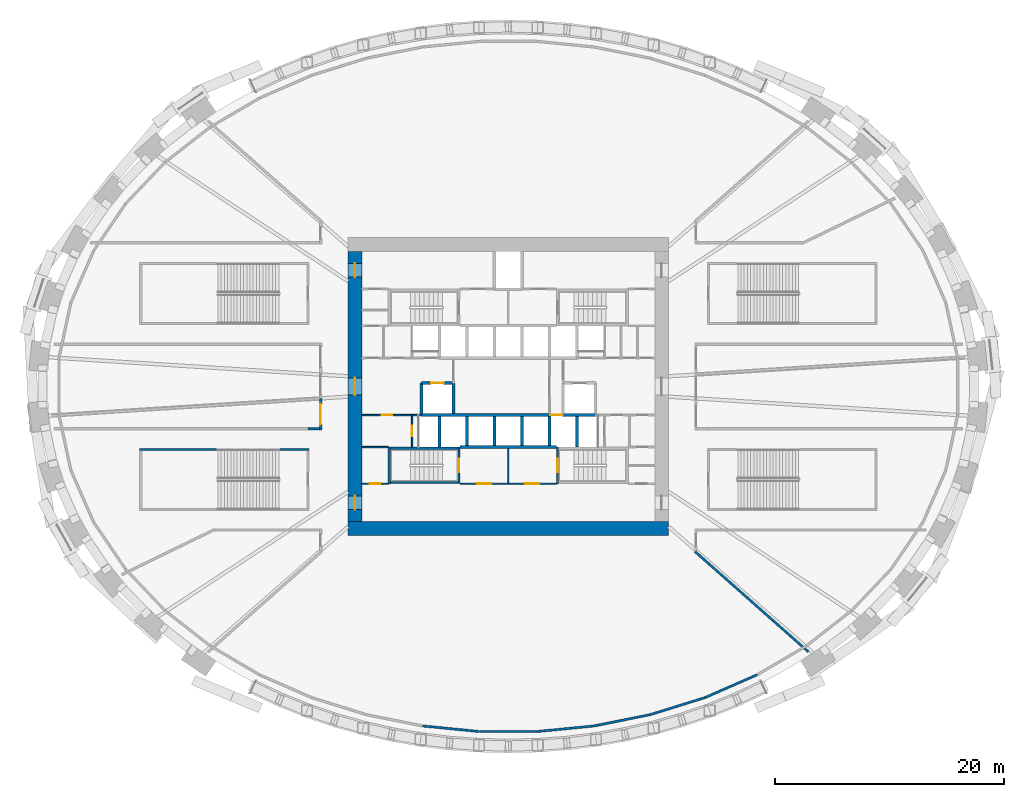
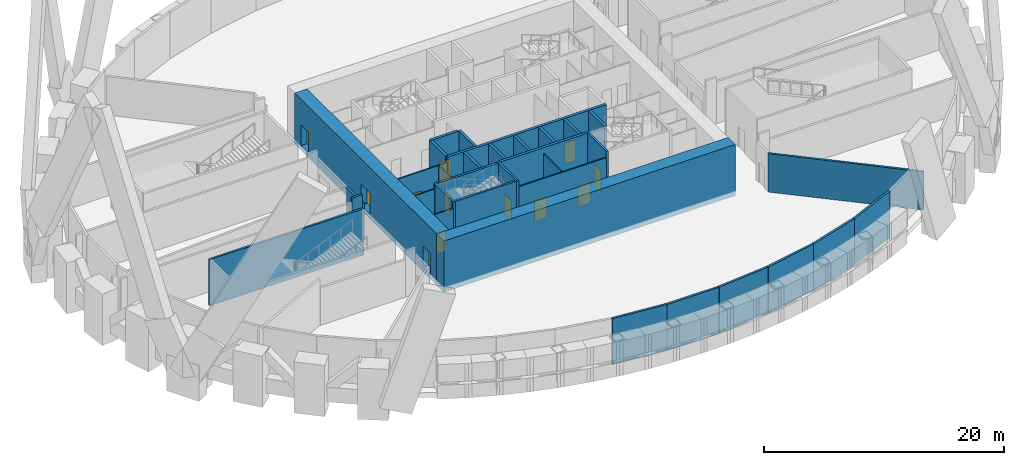
# One storey, part 7 of 16: 34 walls, 13 doors, 13 openings.
"""IFC4 building model written with IfcOpenShell, lengths in metres."""

from ifc_helpers import new_model, si_unit, direction, frame, frame_2d, origin, place, context, subcontext, project, spatial, rectangle, extrude, source, transform, mapped, material, layer, layer_set, type_object, element, fill, save


model = new_model("IFC4")

# Units and contexts
model_context = context("Model", 3, precision=1e-05, world=origin(), true_north=direction((0.0, 1.0)))
body_context = subcontext(model_context, "Body", "Model", "MODEL_VIEW")
ifc_project = project(units=[si_unit("LENGTHUNIT", "METRE"), si_unit("AREAUNIT", "SQUARE_METRE"), si_unit("VOLUMEUNIT", "CUBIC_METRE"), si_unit("PLANEANGLEUNIT", "RADIAN"), si_unit("MASSUNIT", "GRAM", prefix="KILO")], contexts=[model_context])

# Site, building, storey
site_placement = place(None, origin())
site = spatial("IfcSite", under=ifc_project, at=site_placement, CompositionType="ELEMENT")
building_placement = place(site_placement, origin())
building = spatial("IfcBuilding", under=site, at=building_placement, Name="Embergate Tower", CompositionType="ELEMENT")
storey_placement = place(building_placement, frame((0.0, 0.0, 24.0)))
storey = spatial("IfcBuildingStorey", under=building, at=storey_placement, Name="L02", CompositionType="ELEMENT", Elevation=24.0)

# Wall
ifc_material_1 = material(Name="Concrete C80", Category="concrete")
ifc_layer_1 = layer(ifc_material_1, 1.199951171875)
ifc_layer_set_1 = layer_set([ifc_layer_1], Name="Concrete C80")
wall_type_1 = type_object("IfcWallType", Name="Core outer wall C80 1200", PredefinedType="SHEAR", material=ifc_layer_set_1)
shared_shape_1 = source(origin(), body_context, "Body", "SweptSolid", [
    extrude(rectangle(XDim=28.0, YDim=1.199951171875, at=frame_2d((14.0, 0.0))), origin(), (0.0, 0.0, 1.0), 5.199951171875),
])
wall_1_placement = place(storey_placement, frame((-14.0, -12.39990234375, -0.5), z_axis=(0.0, 0.0, 1.0), x_axis=(1.0, 0.0, 0.0)))
element("IfcWall", 1, at=wall_1_placement, inside=storey, type_object=wall_type_1, Name="CW-L02-S", PredefinedType="SHEAR", context=body_context, shape_type="MappedRepresentation", body=[
    mapped(shared_shape_1, transform((0.0, 0.0, 0.0))),
])

# Wall, openings, doors
shared_shape_2 = source(origin(), body_context, "Body", "SweptSolid", [
    extrude(rectangle(XDim=23.60009765625, YDim=1.199951171875, at=frame_2d((11.800048828125, 0.0))), origin(), (0.0, 0.0, 1.0), 5.199951171875),
])
wall_2_placement = place(storey_placement, frame((-13.39990234375, -11.800048828125, -0.5), z_axis=(0.0, 0.0, 1.0), x_axis=(0.0, 1.0, 0.0)))
wall_2 = element("IfcWall", 2, at=wall_2_placement, inside=storey, type_object=wall_type_1, Name="CW-L02-W", PredefinedType="SHEAR", context=body_context, shape_type="MappedRepresentation", body=[
    mapped(shared_shape_2, transform((0.0, 0.0, 0.0))),
])
shared_shape_3 = source(origin(), body_context, "Body", "SweptSolid", [
    extrude(rectangle(XDim=1.199951171875, YDim=2.10009765625, at=frame_2d((0.60009765625, 1.050048828125))), frame((0.0, 0.60986328125, 0.0), z_axis=(0.0, -1.0, 0.0), x_axis=(1.0, 0.0, 0.0)), (0.0, 0.0, 1.0), 1.219970703125),
])
opening_1_placement = place(wall_2_placement, frame((21.35009765625, 0.0, 0.5)))
opening_1 = element("IfcOpeningElement", 3, at=opening_1_placement, cuts=wall_2, Name="Opening IF-1", PredefinedType="OPENING", context=body_context, shape_type="MappedRepresentation", body=[
    mapped(shared_shape_3, transform((0.0, 0.0, 0.0))),
])
opening_2_placement = place(wall_2_placement, frame((1.050048828125, 0.0, 0.5)))
opening_2 = element("IfcOpeningElement", 4, at=opening_2_placement, cuts=wall_2, Name="Opening IF-1", PredefinedType="OPENING", context=body_context, shape_type="MappedRepresentation", body=[
    mapped(shared_shape_3, transform((0.0, 0.0, 0.0))),
])
shared_shape_4 = source(origin(), body_context, "Body", "SweptSolid", [
    extrude(rectangle(XDim=1.5, YDim=2.10009765625, at=frame_2d((0.75, 1.050048828125))), frame((0.0, 0.60986328125, 0.0), z_axis=(0.0, -1.0, 0.0), x_axis=(1.0, 0.0, 0.0)), (0.0, 0.0, 1.0), 1.219970703125),
])
opening_3_placement = place(wall_2_placement, frame((11.050048828125, 0.0, 0.5)))
opening_3 = element("IfcOpeningElement", 5, at=opening_3_placement, cuts=wall_2, Name="Opening IF-3", PredefinedType="OPENING", context=body_context, shape_type="MappedRepresentation", body=[
    mapped(shared_shape_4, transform((0.0, 0.0, 0.0))),
])
ifc_material_2 = material(Name="Escape fire door 1200")
door_type_1 = type_object("IfcDoorType", Name="Escape fire door 1200", OperationType="SINGLE_SWING_LEFT", PredefinedType="DOOR", material=ifc_material_2)
shared_shape_5 = source(origin(), body_context, "Body", "SweptSolid", [
    extrude(rectangle(XDim=1.199951171875, YDim=2.10009765625, at=frame_2d((0.60009765625, 1.050048828125))), frame((0.0, 0.02490234375, 0.0), z_axis=(0.0, -1.0, 0.0), x_axis=(1.0, 0.0, 0.0)), (0.0, 0.0, 1.0), 0.050048828125),
])
door_1_placement = place(opening_1_placement, origin())
door_1 = element("IfcDoor", 6, at=door_1_placement, inside=storey, type_object=door_type_1, Name="IF-1 door", OperationType="SINGLE_SWING_LEFT", OverallHeight=2.10009765625, OverallWidth=1.199951171875, PredefinedType="DOOR", context=body_context, shape_type="MappedRepresentation", body=[
    mapped(shared_shape_5, transform((0.0, 0.0, 0.0))),
])
fill(opening_1, door_1)
door_2_placement = place(opening_2_placement, origin())
door_2 = element("IfcDoor", 7, at=door_2_placement, inside=storey, type_object=door_type_1, Name="IF-1 door", OperationType="SINGLE_SWING_RIGHT", OverallHeight=2.10009765625, OverallWidth=1.199951171875, PredefinedType="DOOR", context=body_context, shape_type="MappedRepresentation", body=[
    mapped(shared_shape_5, transform((0.0, 0.0, 0.0))),
])
fill(opening_2, door_2)
ifc_material_3 = material(Name="Lobby fire door pair 1500")
door_type_2 = type_object("IfcDoorType", Name="Lobby fire door pair 1500", OperationType="DOUBLE_DOOR_SINGLE_SWING", PredefinedType="DOOR", material=ifc_material_3)
shared_shape_6 = source(origin(), body_context, "Body", "SweptSolid", [
    extrude(rectangle(XDim=1.5, YDim=2.10009765625, at=frame_2d((0.75, 1.050048828125))), frame((0.0, 0.02490234375, 0.0), z_axis=(0.0, -1.0, 0.0), x_axis=(1.0, 0.0, 0.0)), (0.0, 0.0, 1.0), 0.050048828125),
])
door_3_placement = place(opening_3_placement, origin())
door_3 = element("IfcDoor", 8, at=door_3_placement, inside=storey, type_object=door_type_2, Name="IF-3 door", OperationType="DOUBLE_DOOR_SINGLE_SWING", OverallHeight=2.10009765625, OverallWidth=1.5, PredefinedType="DOOR", context=body_context, shape_type="MappedRepresentation", body=[
    mapped(shared_shape_6, transform((0.0, 0.0, 0.0))),
])
fill(opening_3, door_3)

# Walls
ifc_material_4 = material(Name="Terracotta louvre cladding on insulated backing", Category="masonry")
ifc_layer_2 = layer(ifc_material_4, 0.199951171875)
ifc_layer_set_2 = layer_set([ifc_layer_2], Name="Terracotta louvre cladding on insulated backing")
wall_type_2 = type_object("IfcWallType", Name="Terracotta louvre wall", PredefinedType="SOLIDWALL", material=ifc_layer_set_2)
shared_shape_7 = source(origin(), body_context, "Body", "SweptSolid", [
    extrude(rectangle(XDim=4.97998046875, YDim=0.199951171875, at=frame_2d((2.489990234375, 0.0))), origin(), (0.0, 0.0, 1.0), 4.699951171875),
])
wall_3_placement = place(storey_placement, frame((21.744140625, -25.190673828125, 0.0), z_axis=(0.0, 0.0, 1.0), x_axis=(-0.916245072647, -0.400618230801, 0.0)))
element("IfcWall", 9, at=wall_3_placement, inside=storey, type_object=wall_type_2, Name="Louvre wall 37", PredefinedType="SOLIDWALL", context=body_context, shape_type="MappedRepresentation", body=[
    mapped(shared_shape_7, transform((0.0, 0.0, 0.0))),
])
shared_shape_8 = source(origin(), body_context, "Body", "SweptSolid", [
    extrude(rectangle(XDim=4.9833984375, YDim=0.199951171875, at=frame_2d((2.49169921875, 0.0))), origin(), (0.0, 0.0, 1.0), 4.699951171875),
])
wall_4_placement = place(storey_placement, frame((17.162353515625, -27.19287109375, 0.0), z_axis=(0.0, 0.0, 1.0), x_axis=(-0.954762851693, -0.297368285175, 0.0)))
element("IfcWall", 10, at=wall_4_placement, inside=storey, type_object=wall_type_2, Name="Louvre wall 36", PredefinedType="SOLIDWALL", context=body_context, shape_type="MappedRepresentation", body=[
    mapped(shared_shape_8, transform((0.0, 0.0, 0.0))),
])
shared_shape_9 = source(origin(), body_context, "Body", "SweptSolid", [
    extrude(rectangle(XDim=4.98583984375, YDim=0.199951171875, at=frame_2d((2.492919921875, 0.0))), origin(), (0.0, 0.0, 1.0), 4.699951171875),
])
wall_5_placement = place(storey_placement, frame((12.385009765625, -28.6796875, 0.0), z_axis=(0.0, 0.0, 1.0), x_axis=(-0.980473177294, -0.196652863208, 0.0)))
element("IfcWall", 11, at=wall_5_placement, inside=storey, type_object=wall_type_2, Name="Louvre wall 35", PredefinedType="SOLIDWALL", context=body_context, shape_type="MappedRepresentation", body=[
    mapped(shared_shape_9, transform((0.0, 0.0, 0.0))),
])
shared_shape_10 = source(origin(), body_context, "Body", "SweptSolid", [
    extrude(rectangle(XDim=4.987060546875, YDim=0.199951171875, at=frame_2d((2.49365234375, 0.0))), origin(), (0.0, 0.0, 1.0), 4.699951171875),
])
for number, where, z_axis, x_axis, name in (
    (12, (-2.513671875, -30.15087890625, 0.0), (0.0, 0.0, 1.0), (-0.995204913417, 0.097811964042, 0.0), "Louvre wall 32"),
    (13, (7.476806640625, -29.6630859375, 0.0), (0.0, 0.0, 1.0), (-0.995204913417, -0.097811964042, 0.0), "Louvre wall 34"),
):
    element("IfcWall", number, at=place(storey_placement, frame(where, z_axis=z_axis, x_axis=x_axis)), inside=storey, type_object=wall_type_2, Name=name, PredefinedType="SOLIDWALL", context=body_context, shape_type="MappedRepresentation", body=[
        mapped(shared_shape_10, transform((0.0, 0.0, 0.0))),
    ])
shared_shape_11 = source(origin(), body_context, "Body", "SweptSolid", [
    extrude(rectangle(XDim=4.9873046875, YDim=0.199951171875, at=frame_2d((2.49365234375, 0.0))), origin(), (0.0, 0.0, 1.0), 4.699951171875),
])
wall_6_placement = place(storey_placement, frame((2.49365234375, -30.15185546875, 0.0), z_axis=(0.0, 0.0, 1.0), x_axis=(-1.0, 0.0, 0.0)))
element("IfcWall", 14, at=wall_6_placement, inside=storey, type_object=wall_type_2, Name="Louvre wall 33", PredefinedType="SOLIDWALL", context=body_context, shape_type="MappedRepresentation", body=[
    mapped(shared_shape_11, transform((0.0, 0.0, 0.0))),
])
ifc_material_5 = material(Name="Concrete C50", Category="concrete")
ifc_layer_3 = layer(ifc_material_5, 0.25)
ifc_layer_set_3 = layer_set([ifc_layer_3], Name="Concrete C50")
wall_type_3 = type_object("IfcWallType", Name="Hoistway wall reinforced concrete 250", PredefinedType="SHEAR", material=ifc_layer_set_3)
shared_shape_12 = source(origin(), body_context, "Body", "SweptSolid", [
    extrude(rectangle(XDim=2.675048828125, YDim=0.25, at=frame_2d((1.33740234375, 0.0))), origin(), (0.0, 0.0, 1.0), 4.699951171875),
])
for number, where, z_axis, x_axis, name in (
    (15, (-6.0, -5.300048828125, 0.0), (0.0, 0.0, 1.0), (0.0, 1.0, 0.0), "HW-1 wall"),
    (16, (6.0, -5.300048828125, 0.0), (0.0, 0.0, 1.0), (0.0, 1.0, 0.0), "HW-1 wall"),
    (17, (-4.800048828125, 0.300048828125, 0.0), (0.0, 0.0, 1.0), (0.0, -1.0, 0.0), "HW-1 wall"),
):
    element("IfcWall", number, at=place(storey_placement, frame(where, z_axis=z_axis, x_axis=x_axis)), inside=storey, type_object=wall_type_3, Name=name, PredefinedType="SHEAR", context=body_context, shape_type="MappedRepresentation", body=[
        mapped(shared_shape_12, transform((0.0, 0.0, 0.0))),
    ])

# Wall, opening, door
wall_7_placement = place(storey_placement, frame((-4.925048828125, 0.300048828125, 0.0), z_axis=(0.0, 0.0, 1.0), x_axis=(-1.0, 0.0, 0.0)))
wall_7 = element("IfcWall", 18, at=wall_7_placement, inside=storey, type_object=wall_type_3, Name="HW-1 wall", PredefinedType="SHEAR", context=body_context, shape_type="MappedRepresentation", body=[
    mapped(shared_shape_12, transform((0.0, 0.0, 0.0))),
])
shared_shape_13 = source(origin(), body_context, "Body", "SweptSolid", [
    extrude(rectangle(XDim=1.10009765625, YDim=2.10009765625, at=frame_2d((0.550048828125, 1.050048828125))), frame((0.0, 0.135009765625, 0.0), z_axis=(0.0, -1.0, 0.0), x_axis=(1.0, 0.0, 0.0)), (0.0, 0.0, 1.0), 0.27001953125),
])
opening_4_placement = place(wall_7_placement, frame((0.72509765625, 0.0, 0.0)))
opening_4 = element("IfcOpeningElement", 19, at=opening_4_placement, cuts=wall_7, Name="Opening LD", PredefinedType="OPENING", context=body_context, shape_type="MappedRepresentation", body=[
    mapped(shared_shape_13, transform((0.0, 0.0, 0.0))),
])
ifc_material_6 = material(Name="Landing door sliding 1100")
door_type_3 = type_object("IfcDoorType", Name="Landing door sliding 1100", OperationType="SLIDING_TO_LEFT", PredefinedType="DOOR", material=ifc_material_6)
shared_shape_14 = source(origin(), body_context, "Body", "SweptSolid", [
    extrude(rectangle(XDim=1.10009765625, YDim=2.10009765625, at=frame_2d((0.550048828125, 1.050048828125))), frame((0.0, 0.02490234375, 0.0), z_axis=(0.0, -1.0, 0.0), x_axis=(1.0, 0.0, 0.0)), (0.0, 0.0, 1.0), 0.050048828125),
])
door_4_placement = place(opening_4_placement, origin())
door_4 = element("IfcDoor", 20, at=door_4_placement, inside=storey, type_object=door_type_3, Name="LD door", OperationType="SLIDING_TO_LEFT", OverallHeight=2.10009765625, OverallWidth=1.10009765625, PredefinedType="DOOR", context=body_context, shape_type="MappedRepresentation", body=[
    mapped(shared_shape_14, transform((0.0, 0.0, 0.0))),
])
fill(opening_4, door_4)

# Walls
wall_8_placement = place(storey_placement, frame((-7.60009765625, 0.300048828125, 0.0), z_axis=(0.0, 0.0, 1.0), x_axis=(0.0, -1.0, 0.0)))
element("IfcWall", 21, at=wall_8_placement, inside=storey, type_object=wall_type_3, Name="HW-1 wall", PredefinedType="SHEAR", context=body_context, shape_type="MappedRepresentation", body=[
    mapped(shared_shape_12, transform((0.0, 0.0, 0.0))),
])
ifc_layer_4 = layer(ifc_material_5, 0.199951171875)
ifc_layer_set_4 = layer_set([ifc_layer_4], Name="Concrete C50")
wall_type_4 = type_object("IfcWallType", Name="Stair enclosure wall reinforced concrete 250", PredefinedType="SHEAR", material=ifc_layer_set_4)
shared_shape_15 = source(origin(), body_context, "Body", "SweptSolid", [
    extrude(rectangle(XDim=6.300048828125, YDim=0.199951171875, at=frame_2d((3.14990234375, 0.0))), origin(), (0.0, 0.0, 1.0), 4.699951171875),
])
for number, where, z_axis, x_axis, name in (
    (22, (-10.5, -5.39990234375, 0.0), (0.0, 0.0, 1.0), (1.0, 0.0, 0.0), "SE-1 wall"),
    (23, (-10.5, -8.39990234375, 0.0), (0.0, 0.0, 1.0), (1.0, 0.0, 0.0), "SE-1 wall"),
):
    element("IfcWall", number, at=place(storey_placement, frame(where, z_axis=z_axis, x_axis=x_axis)), inside=storey, type_object=wall_type_4, Name=name, PredefinedType="SHEAR", context=body_context, shape_type="MappedRepresentation", body=[
        mapped(shared_shape_15, transform((0.0, 0.0, 0.0))),
    ])

# Wall, opening, door
ifc_material_7 = material(Name="Core partition blockwork 120")
ifc_layer_5 = layer(ifc_material_7, 0.1201171875)
ifc_layer_set_5 = layer_set([ifc_layer_5], Name="Core partition blockwork 120")
wall_type_5 = type_object("IfcWallType", Name="Core partition blockwork 120", PredefinedType="PARTITIONING", material=ifc_layer_set_5)
shared_shape_16 = source(origin(), body_context, "Body", "SweptSolid", [
    extrude(rectangle(XDim=2.739990234375, YDim=0.1201171875, at=frame_2d((1.3701171875, 0.0))), origin(), (0.0, 0.0, 1.0), 4.10009765625),
])
wall_9_placement = place(storey_placement, frame((-8.39990234375, -2.56005859375, 0.0), z_axis=(0.0, 0.0, 1.0), x_axis=(0.0, -1.0, 0.0)))
wall_9 = element("IfcWall", 24, at=wall_9_placement, inside=storey, type_object=wall_type_5, Name="IP-3 wall", PredefinedType="PARTITIONING", context=body_context, shape_type="MappedRepresentation", body=[
    mapped(shared_shape_16, transform((0.0, 0.0, 0.0))),
])
shared_shape_17 = source(origin(), body_context, "Body", "SweptSolid", [
    extrude(rectangle(XDim=0.89990234375, YDim=2.10009765625, at=frame_2d((0.449951171875, 1.050048828125))), frame((0.0, 0.070068359375, 0.0), z_axis=(0.0, -1.0, 0.0), x_axis=(1.0, 0.0, 0.0)), (0.0, 0.0, 1.0), 0.14013671875),
])
opening_5_placement = place(wall_9_placement, frame((0.889892578125, 0.0, 0.0)))
opening_5 = element("IfcOpeningElement", 25, at=opening_5_placement, cuts=wall_9, Name="Opening ID-1", PredefinedType="OPENING", context=body_context, shape_type="MappedRepresentation", body=[
    mapped(shared_shape_17, transform((0.0, 0.0, 0.0))),
])
ifc_material_8 = material(Name="Interior door 900")
door_type_4 = type_object("IfcDoorType", Name="Interior door 900", OperationType="SINGLE_SWING_LEFT", PredefinedType="DOOR", material=ifc_material_8)
shared_shape_18 = source(origin(), body_context, "Body", "SweptSolid", [
    extrude(rectangle(XDim=0.89990234375, YDim=2.10009765625, at=frame_2d((0.449951171875, 1.050048828125))), frame((0.0, 0.02490234375, 0.0), z_axis=(0.0, -1.0, 0.0), x_axis=(1.0, 0.0, 0.0)), (0.0, 0.0, 1.0), 0.050048828125),
])
door_5_placement = place(opening_5_placement, origin())
door_5 = element("IfcDoor", 26, at=door_5_placement, inside=storey, type_object=door_type_4, Name="ID-1 door", OperationType="SINGLE_SWING_RIGHT", OverallHeight=2.10009765625, OverallWidth=0.89990234375, PredefinedType="DOOR", context=body_context, shape_type="MappedRepresentation", body=[
    mapped(shared_shape_18, transform((0.0, 0.0, 0.0))),
])
fill(opening_5, door_5)

# Walls
shared_shape_19 = source(origin(), body_context, "Body", "SweptSolid", [
    extrude(rectangle(XDim=2.550048828125, YDim=0.25, at=frame_2d((1.27490234375, 0.0))), origin(), (0.0, 0.0, 1.0), 4.699951171875),
])
for number, where, z_axis, x_axis, name in (
    (27, (-3.60009765625, -5.175048828125, 0.0), (0.0, 0.0, 1.0), (0.0, 1.0, 0.0), "HW-1 wall"),
    (28, (-1.199951171875, -5.175048828125, 0.0), (0.0, 0.0, 1.0), (0.0, 1.0, 0.0), "HW-1 wall"),
    (29, (1.199951171875, -5.175048828125, 0.0), (0.0, 0.0, 1.0), (0.0, 1.0, 0.0), "HW-1 wall"),
    (30, (3.60009765625, -5.175048828125, 0.0), (0.0, 0.0, 1.0), (0.0, 1.0, 0.0), "HW-1 wall"),
):
    element("IfcWall", number, at=place(storey_placement, frame(where, z_axis=z_axis, x_axis=x_axis)), inside=storey, type_object=wall_type_3, Name=name, PredefinedType="SHEAR", context=body_context, shape_type="MappedRepresentation", body=[
        mapped(shared_shape_19, transform((0.0, 0.0, 0.0))),
    ])
shared_shape_20 = source(origin(), body_context, "Body", "SweptSolid", [
    extrude(rectangle(XDim=8.39990234375, YDim=0.25, at=frame_2d((4.199951171875, 0.0))), origin(), (0.0, 0.0, 1.0), 4.699951171875),
])
wall_10_placement = place(storey_placement, frame((-4.199951171875, -5.300048828125, 0.0), z_axis=(0.0, 0.0, 1.0), x_axis=(1.0, 0.0, 0.0)))
element("IfcWall", 31, at=wall_10_placement, inside=storey, type_object=wall_type_3, Name="HW-1 wall", PredefinedType="SHEAR", context=body_context, shape_type="MappedRepresentation", body=[
    mapped(shared_shape_20, transform((0.0, 0.0, 0.0))),
])

# Wall, opening, door
shared_shape_21 = source(origin(), body_context, "Body", "SweptSolid", [
    extrude(rectangle(XDim=15.2001953125, YDim=0.25, at=frame_2d((7.60009765625, 0.0))), origin(), (0.0, 0.0, 1.0), 4.699951171875),
])
wall_11_placement = place(storey_placement, frame((7.60009765625, -2.5, 0.0), z_axis=(0.0, 0.0, 1.0), x_axis=(-1.0, 0.0, 0.0)))
wall_11 = element("IfcWall", 32, at=wall_11_placement, inside=storey, type_object=wall_type_3, Name="HW-1 wall", PredefinedType="SHEAR", context=body_context, shape_type="MappedRepresentation", body=[
    mapped(shared_shape_21, transform((0.0, 0.0, 0.0))),
])
opening_6_placement = place(wall_11_placement, frame((2.85009765625, 0.0, 0.0)))
opening_6 = element("IfcOpeningElement", 33, at=opening_6_placement, cuts=wall_11, Name="Opening LD", PredefinedType="OPENING", context=body_context, shape_type="MappedRepresentation", body=[
    mapped(shared_shape_13, transform((0.0, 0.0, 0.0))),
])
door_6_placement = place(opening_6_placement, origin())
door_6 = element("IfcDoor", 34, at=door_6_placement, inside=storey, type_object=door_type_3, Name="LD door", OperationType="SLIDING_TO_LEFT", OverallHeight=2.10009765625, OverallWidth=1.10009765625, PredefinedType="DOOR", context=body_context, shape_type="MappedRepresentation", body=[
    mapped(shared_shape_14, transform((0.0, 0.0, 0.0))),
])
fill(opening_6, door_6)

shared_shape_22 = source(origin(), body_context, "Body", "SweptSolid", [
    extrude(rectangle(XDim=5.199951171875, YDim=0.1201171875, at=frame_2d((2.60009765625, 0.0))), origin(), (0.0, 0.0, 1.0), 4.10009765625),
])
wall_12_placement = place(storey_placement, frame((-7.60009765625, -2.5, 0.0), z_axis=(0.0, 0.0, 1.0), x_axis=(-1.0, 0.0, 0.0)))
wall_12 = element("IfcWall", 35, at=wall_12_placement, inside=storey, type_object=wall_type_5, Name="IP-3 wall", PredefinedType="PARTITIONING", context=body_context, shape_type="MappedRepresentation", body=[
    mapped(shared_shape_22, transform((0.0, 0.0, 0.0))),
])
opening_7_placement = place(wall_12_placement, frame((2.550048828125, 0.0, 0.0)))
opening_7 = element("IfcOpeningElement", 36, at=opening_7_placement, cuts=wall_12, Name="Opening ID-1", PredefinedType="OPENING", context=body_context, shape_type="MappedRepresentation", body=[
    mapped(shared_shape_17, transform((0.0, 0.0, 0.0))),
])
door_7_placement = place(opening_7_placement, origin())
door_7 = element("IfcDoor", 37, at=door_7_placement, inside=storey, type_object=door_type_4, Name="ID-1 door", OperationType="SINGLE_SWING_RIGHT", OverallHeight=2.10009765625, OverallWidth=0.89990234375, PredefinedType="DOOR", context=body_context, shape_type="MappedRepresentation", body=[
    mapped(shared_shape_18, transform((0.0, 0.0, 0.0))),
])
fill(opening_7, door_7)

shared_shape_23 = source(origin(), body_context, "Body", "SweptSolid", [
    extrude(rectangle(XDim=3.199951171875, YDim=0.199951171875, at=frame_2d((1.60009765625, 0.0))), origin(), (0.0, 0.0, 1.0), 4.699951171875),
])
wall_13_placement = place(storey_placement, frame((-4.300048828125, -8.5, 0.0), z_axis=(0.0, 0.0, 1.0), x_axis=(0.0, 1.0, 0.0)))
wall_13 = element("IfcWall", 38, at=wall_13_placement, inside=storey, type_object=wall_type_4, Name="SE-1 wall", PredefinedType="SHEAR", context=body_context, shape_type="MappedRepresentation", body=[
    mapped(shared_shape_23, transform((0.0, 0.0, 0.0))),
])
shared_shape_24 = source(origin(), body_context, "Body", "SweptSolid", [
    extrude(rectangle(XDim=1.199951171875, YDim=2.10009765625, at=frame_2d((0.60009765625, 1.050048828125))), frame((0.0, 0.10986328125, 0.0), z_axis=(0.0, -1.0, 0.0), x_axis=(1.0, 0.0, 0.0)), (0.0, 0.0, 1.0), 0.219970703125),
])
opening_8_placement = place(wall_13_placement, frame((1.0, 0.0, 0.0)))
opening_8 = element("IfcOpeningElement", 39, at=opening_8_placement, cuts=wall_13, Name="Opening IF-2", PredefinedType="OPENING", context=body_context, shape_type="MappedRepresentation", body=[
    mapped(shared_shape_24, transform((0.0, 0.0, 0.0))),
])
ifc_material_9 = material(Name="Stair enclosure door 1200")
door_type_5 = type_object("IfcDoorType", Name="Stair enclosure door 1200", OperationType="SINGLE_SWING_LEFT", PredefinedType="DOOR", material=ifc_material_9)
door_8_placement = place(opening_8_placement, origin())
door_8 = element("IfcDoor", 40, at=door_8_placement, inside=storey, type_object=door_type_5, Name="IF-2 door", OperationType="SINGLE_SWING_LEFT", OverallHeight=2.10009765625, OverallWidth=1.199951171875, PredefinedType="DOOR", context=body_context, shape_type="MappedRepresentation", body=[
    mapped(shared_shape_5, transform((0.0, 0.0, 0.0))),
])
fill(opening_8, door_8)

# Wall
wall_14_placement = place(storey_placement, frame((-10.39990234375, -5.300048828125, 0.0), z_axis=(0.0, 0.0, 1.0), x_axis=(0.0, -1.0, 0.0)))
element("IfcWall", 41, at=wall_14_placement, inside=storey, type_object=wall_type_4, Name="SE-1 wall", PredefinedType="SHEAR", context=body_context, shape_type="MappedRepresentation", body=[
    mapped(shared_shape_23, transform((0.0, 0.0, 0.0))),
])

# Wall, opening, door
wall_15_placement = place(storey_placement, frame((4.300048828125, -5.300048828125, 0.0), z_axis=(0.0, 0.0, 1.0), x_axis=(0.0, -1.0, 0.0)))
wall_15 = element("IfcWall", 42, at=wall_15_placement, inside=storey, type_object=wall_type_4, Name="SE-1 wall", PredefinedType="SHEAR", context=body_context, shape_type="MappedRepresentation", body=[
    mapped(shared_shape_23, transform((0.0, 0.0, 0.0))),
])
opening_9_placement = place(wall_15_placement, frame((1.0, 0.0, 0.0)))
opening_9 = element("IfcOpeningElement", 43, at=opening_9_placement, cuts=wall_15, Name="Opening IF-2", PredefinedType="OPENING", context=body_context, shape_type="MappedRepresentation", body=[
    mapped(shared_shape_24, transform((0.0, 0.0, 0.0))),
])
door_9_placement = place(opening_9_placement, origin())
door_9 = element("IfcDoor", 44, at=door_9_placement, inside=storey, type_object=door_type_5, Name="IF-2 door", OperationType="SINGLE_SWING_LEFT", OverallHeight=2.10009765625, OverallWidth=1.199951171875, PredefinedType="DOOR", context=body_context, shape_type="MappedRepresentation", body=[
    mapped(shared_shape_5, transform((0.0, 0.0, 0.0))),
])
fill(opening_9, door_9)

# Wall
shared_shape_25 = source(origin(), body_context, "Body", "SweptSolid", [
    extrude(rectangle(XDim=3.014892578125, YDim=0.1201171875, at=frame_2d((1.50732421875, 0.0))), origin(), (0.0, 0.0, 1.0), 4.10009765625),
])
wall_16_placement = place(storey_placement, frame((0.0, -8.43994140625, 0.0), z_axis=(0.0, 0.0, 1.0), x_axis=(0.0, 1.0, 0.0)))
element("IfcWall", 45, at=wall_16_placement, inside=storey, type_object=wall_type_5, Name="IP-3 wall", PredefinedType="PARTITIONING", context=body_context, shape_type="MappedRepresentation", body=[
    mapped(shared_shape_25, transform((0.0, 0.0, 0.0))),
])

# Wall, openings, doors
shared_shape_26 = source(origin(), body_context, "Body", "SweptSolid", [
    extrude(rectangle(XDim=8.39990234375, YDim=0.1201171875, at=frame_2d((4.199951171875, 0.0))), origin(), (0.0, 0.0, 1.0), 4.10009765625),
])
wall_17_placement = place(storey_placement, frame((-4.199951171875, -8.5, 0.0), z_axis=(0.0, 0.0, 1.0), x_axis=(1.0, 0.0, 0.0)))
wall_17 = element("IfcWall", 46, at=wall_17_placement, inside=storey, type_object=wall_type_5, Name="IP-3 wall", PredefinedType="PARTITIONING", context=body_context, shape_type="MappedRepresentation", body=[
    mapped(shared_shape_26, transform((0.0, 0.0, 0.0))),
])
shared_shape_27 = source(origin(), body_context, "Body", "SweptSolid", [
    extrude(rectangle(XDim=1.199951171875, YDim=2.10009765625, at=frame_2d((0.60009765625, 1.050048828125))), frame((0.0, 0.070068359375, 0.0), z_axis=(0.0, -1.0, 0.0), x_axis=(1.0, 0.0, 0.0)), (0.0, 0.0, 1.0), 0.14013671875),
])
opening_10_placement = place(wall_17_placement, frame((1.5, 0.0, 0.0)))
opening_10 = element("IfcOpeningElement", 47, at=opening_10_placement, cuts=wall_17, Name="Opening IF-3f", PredefinedType="OPENING", context=body_context, shape_type="MappedRepresentation", body=[
    mapped(shared_shape_27, transform((0.0, 0.0, 0.0))),
])
opening_11_placement = place(wall_17_placement, frame((5.699951171875, 0.0, 0.0)))
opening_11 = element("IfcOpeningElement", 48, at=opening_11_placement, cuts=wall_17, Name="Opening IF-3f", PredefinedType="OPENING", context=body_context, shape_type="MappedRepresentation", body=[
    mapped(shared_shape_27, transform((0.0, 0.0, 0.0))),
])
ifc_material_10 = material(Name="Lobby fire door pair 1200")
door_type_6 = type_object("IfcDoorType", Name="Lobby fire door pair 1200", OperationType="DOUBLE_DOOR_SINGLE_SWING", PredefinedType="DOOR", material=ifc_material_10)
door_10_placement = place(opening_10_placement, origin())
door_10 = element("IfcDoor", 49, at=door_10_placement, inside=storey, type_object=door_type_6, Name="IF-3 door", OperationType="DOUBLE_DOOR_SINGLE_SWING", OverallHeight=2.10009765625, OverallWidth=1.199951171875, PredefinedType="DOOR", context=body_context, shape_type="MappedRepresentation", body=[
    mapped(shared_shape_5, transform((0.0, 0.0, 0.0))),
])
fill(opening_10, door_10)
door_11_placement = place(opening_11_placement, origin())
door_11 = element("IfcDoor", 50, at=door_11_placement, inside=storey, type_object=door_type_6, Name="IF-3 door", OperationType="DOUBLE_DOOR_SINGLE_SWING", OverallHeight=2.10009765625, OverallWidth=1.199951171875, PredefinedType="DOOR", context=body_context, shape_type="MappedRepresentation", body=[
    mapped(shared_shape_5, transform((0.0, 0.0, 0.0))),
])
fill(opening_11, door_11)

# Wall, opening, door
shared_shape_28 = source(origin(), body_context, "Body", "SweptSolid", [
    extrude(rectangle(XDim=2.300048828125, YDim=0.1201171875, at=frame_2d((1.14990234375, 0.0))), origin(), (0.0, 0.0, 1.0), 4.10009765625),
])
wall_18_placement = place(storey_placement, frame((-10.5, -8.5, 0.0), z_axis=(0.0, 0.0, 1.0), x_axis=(-1.0, 0.0, 0.0)))
wall_18 = element("IfcWall", 51, at=wall_18_placement, inside=storey, type_object=wall_type_5, Name="IP-3 wall", PredefinedType="PARTITIONING", context=body_context, shape_type="MappedRepresentation", body=[
    mapped(shared_shape_28, transform((0.0, 0.0, 0.0))),
])
opening_12_placement = place(wall_18_placement, frame((0.699951171875, 0.0, 0.0)))
opening_12 = element("IfcOpeningElement", 52, at=opening_12_placement, cuts=wall_18, Name="Opening ID-1", PredefinedType="OPENING", context=body_context, shape_type="MappedRepresentation", body=[
    mapped(shared_shape_17, transform((0.0, 0.0, 0.0))),
])
door_12_placement = place(opening_12_placement, origin())
door_12 = element("IfcDoor", 53, at=door_12_placement, inside=storey, type_object=door_type_4, Name="ID-1 door", OperationType="SINGLE_SWING_LEFT", OverallHeight=2.10009765625, OverallWidth=0.89990234375, PredefinedType="DOOR", context=body_context, shape_type="MappedRepresentation", body=[
    mapped(shared_shape_18, transform((0.0, 0.0, 0.0))),
])
fill(opening_12, door_12)

# Walls
wall_19_placement = place(storey_placement, frame((-12.800048828125, -5.300048828125, 0.0), z_axis=(0.0, 0.0, 1.0), x_axis=(1.0, 0.0, 0.0)))
element("IfcWall", 54, at=wall_19_placement, inside=storey, type_object=wall_type_5, Name="IP-3 wall", PredefinedType="PARTITIONING", context=body_context, shape_type="MappedRepresentation", body=[
    mapped(shared_shape_28, transform((0.0, 0.0, 0.0))),
])
ifc_material_11 = material(Name="Concrete C40", Category="concrete")
ifc_layer_6 = layer(ifc_material_11, 0.199951171875)
ifc_layer_set_6 = layer_set([ifc_layer_6], Name="Concrete C40")
wall_type_6 = type_object("IfcWallType", Name="Stair enclosure wall RC 200", PredefinedType="STANDARD", material=ifc_layer_set_6)
shared_shape_29 = source(origin(), body_context, "Body", "SweptSolid", [
    extrude(rectangle(XDim=14.820068359375, YDim=0.199951171875, at=frame_2d((7.41015625, 0.0))), origin(), (0.0, 0.0, 1.0), 4.699951171875),
])
wall_20_placement = place(storey_placement, frame((-17.39990234375, -5.5, 0.0), z_axis=(0.0, 0.0, 1.0), x_axis=(-1.0, 0.0, 0.0)))
element("IfcWall", 55, at=wall_20_placement, inside=storey, type_object=wall_type_6, Name="Stair wall 010", PredefinedType="STANDARD", context=body_context, shape_type="MappedRepresentation", body=[
    mapped(shared_shape_29, transform((0.0, 0.0, 0.0))),
])
ifc_material_12 = material(Name="Blockwork, plastered", Category="masonry")
ifc_layer_7 = layer(ifc_material_12, 0.199951171875)
ifc_layer_set_7 = layer_set([ifc_layer_7], Name="Blockwork, plastered")
wall_type_7 = type_object("IfcWallType", Name="Fire partition wall 200 block", PredefinedType="PARTITIONING", material=ifc_layer_set_7)
shared_shape_30 = source(origin(), body_context, "Body", "SweptSolid", [
    extrude(rectangle(XDim=13.1982421875, YDim=0.199951171875, at=frame_2d((6.59912109375, 0.0))), origin(), (0.0, 0.0, 1.0), 3.89990234375),
])
wall_21_placement = place(storey_placement, frame((26.2119140625, -23.179931640625, 0.0), z_axis=(0.0, 0.0, 1.0), x_axis=(-0.749118361103, 0.662436171308, 0.0)))
element("IfcWall", 56, at=wall_21_placement, inside=storey, type_object=wall_type_7, Name="Partition 042", PredefinedType="PARTITIONING", context=body_context, shape_type="MappedRepresentation", body=[
    mapped(shared_shape_30, transform((0.0, 0.0, 0.0))),
])
shared_shape_31 = source(origin(), body_context, "Body", "SweptSolid", [
    extrude(rectangle(XDim=1.0, YDim=0.199951171875, at=frame_2d((0.5, 0.0))), origin(), (0.0, 0.0, 1.0), 4.699951171875),
])
wall_22_placement = place(storey_placement, frame((-17.5, -3.699951171875, 0.0), z_axis=(0.0, 0.0, 1.0), x_axis=(1.0, 0.0, 0.0)))
element("IfcWall", 57, at=wall_22_placement, inside=storey, type_object=wall_type_7, Name="Partition 012", PredefinedType="PARTITIONING", context=body_context, shape_type="MappedRepresentation", body=[
    mapped(shared_shape_31, transform((0.0, 0.0, 0.0))),
])

# Wall, opening, door
shared_shape_32 = source(origin(), body_context, "Body", "SweptSolid", [
    extrude(rectangle(XDim=2.744140625, YDim=0.199951171875, at=frame_2d((1.3720703125, 0.0))), origin(), (0.0, 0.0, 1.0), 3.800048828125),
])
wall_23_placement = place(storey_placement, frame((-16.39990234375, -3.800048828125, 0.0), z_axis=(0.0, 0.0, 1.0), x_axis=(0.0, 1.0, 0.0)))
wall_23 = element("IfcWall", 58, at=wall_23_placement, inside=storey, type_object=wall_type_7, Name="Partition 020", PredefinedType="PARTITIONING", context=body_context, shape_type="MappedRepresentation", body=[
    mapped(shared_shape_32, transform((0.0, 0.0, 0.0))),
])
shared_shape_33 = source(origin(), body_context, "Body", "SweptSolid", [
    extrude(rectangle(XDim=1.800048828125, YDim=2.39990234375, at=frame_2d((0.89990234375, 1.199951171875))), frame((0.0, 0.10986328125, 0.0), z_axis=(0.0, -1.0, 0.0), x_axis=(1.0, 0.0, 0.0)), (0.0, 0.0, 1.0), 0.219970703125),
])
opening_13_placement = place(wall_23_placement, frame((0.471923828125, 0.0, 0.0)))
opening_13 = element("IfcOpeningElement", 59, at=opening_13_placement, cuts=wall_23, Name="Opening DS-054", PredefinedType="OPENING", context=body_context, shape_type="MappedRepresentation", body=[
    mapped(shared_shape_33, transform((0.0, 0.0, 0.0))),
])
ifc_material_13 = material(Name="Timber door leaf, steel frame", Category="steel")
door_type_7 = type_object("IfcDoorType", Name="Double door 1800x2400", OperationType="DOUBLE_DOOR_SINGLE_SWING", PredefinedType="DOOR", material=ifc_material_13)
shared_shape_34 = source(origin(), body_context, "Body", "SweptSolid", [
    extrude(rectangle(XDim=1.800048828125, YDim=2.39990234375, at=frame_2d((0.89990234375, 1.199951171875))), frame((0.0, 0.02490234375, 0.0), z_axis=(0.0, -1.0, 0.0), x_axis=(1.0, 0.0, 0.0)), (0.0, 0.0, 1.0), 0.050048828125),
])
door_13_placement = place(opening_13_placement, origin())
door_13 = element("IfcDoor", 60, at=door_13_placement, inside=storey, type_object=door_type_7, Name="Door to Refuge area", OperationType="SINGLE_SWING_LEFT", OverallHeight=2.39990234375, OverallWidth=1.800048828125, PredefinedType="DOOR", context=body_context, shape_type="MappedRepresentation", body=[
    mapped(shared_shape_34, transform((0.0, 0.0, 0.0))),
])
fill(opening_13, door_13)

save(model, "model.ifc")
